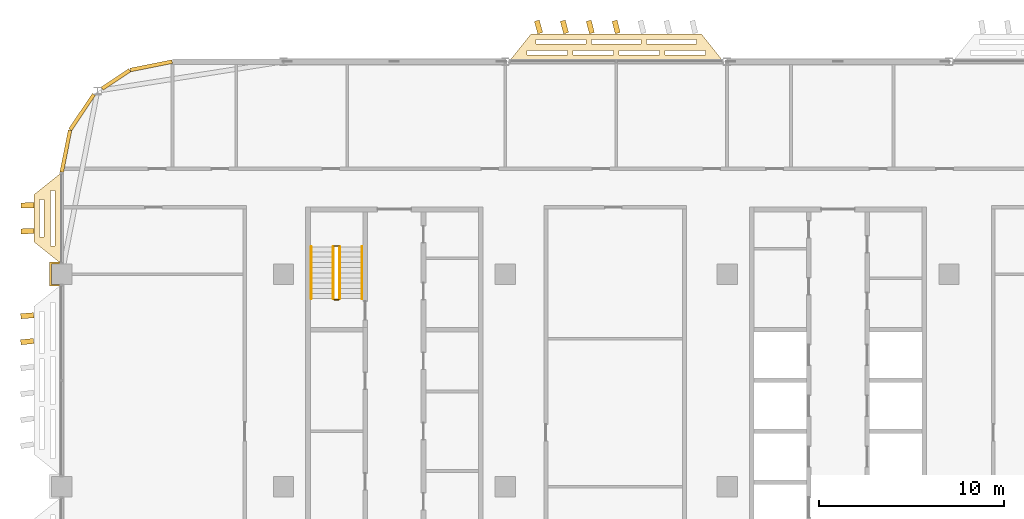
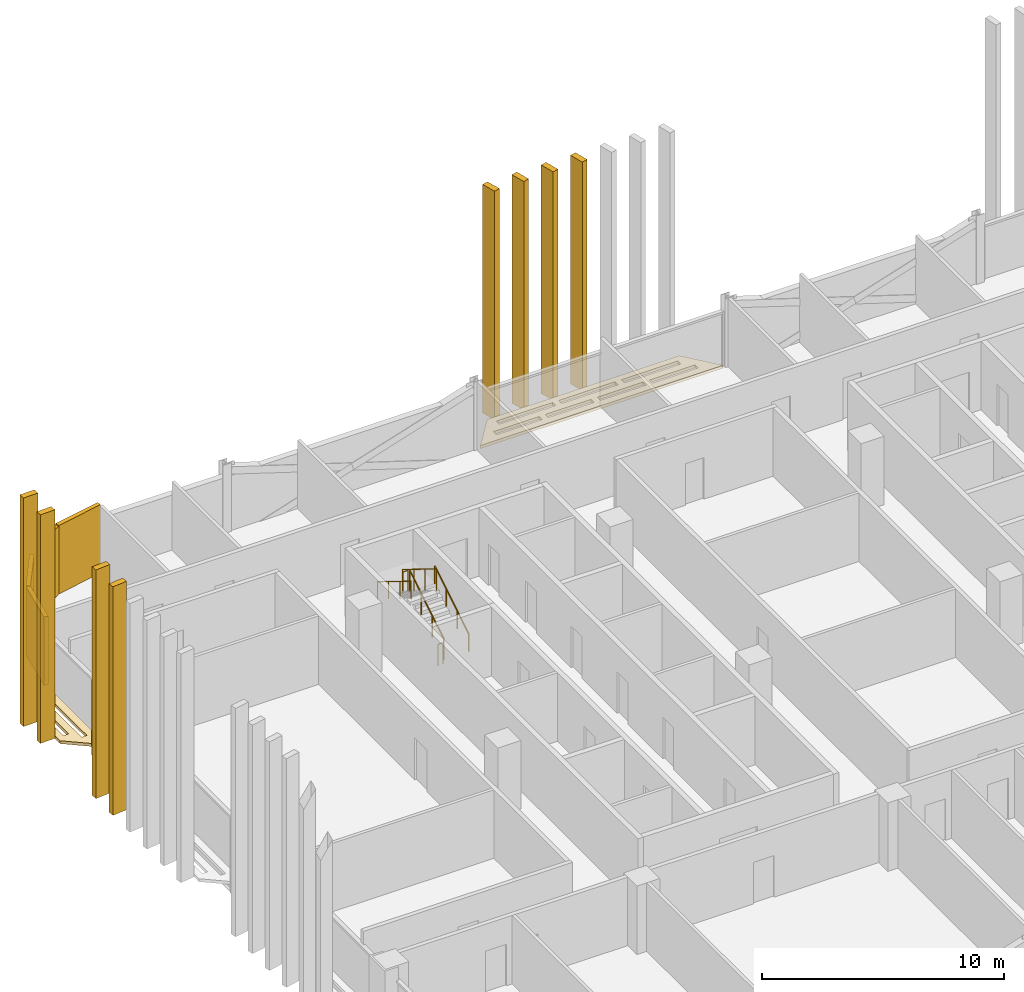
# One storey, part 27 of 30: 15 coverings, 6 railings.
"""IFC4 building model written with IfcOpenShell, lengths in metres."""

from ifc_helpers import new_model, si_unit, direction, frame, origin, origin_2d, place, context, subcontext, project, spatial, polyline, rectangle, circle, outline, extrude, material, layer, layer_set, type_object, element, save


model = new_model("IFC4")

# Units and contexts
model_context = context("Model", 3, precision=1e-05, world=origin(), true_north=direction((0.0, 1.0)))
body_context = subcontext(model_context, "Body", "Model", "MODEL_VIEW")
ifc_project = project(units=[si_unit("LENGTHUNIT", "METRE"), si_unit("AREAUNIT", "SQUARE_METRE"), si_unit("VOLUMEUNIT", "CUBIC_METRE"), si_unit("PLANEANGLEUNIT", "RADIAN"), si_unit("MASSUNIT", "GRAM", prefix="KILO")], contexts=[model_context])

# Site, building, storey
site_placement = place(None, origin())
site = spatial("IfcSite", under=ifc_project, at=site_placement, CompositionType="ELEMENT")
building_placement = place(site_placement, origin())
building = spatial("IfcBuilding", under=site, at=building_placement, Name="Mahtab Terrace Research Tower", CompositionType="ELEMENT")
storey_placement = place(building_placement, frame((0.0, 0.0, 209.10009765625)))
storey = spatial("IfcBuildingStorey", under=building, at=storey_placement, Name="L50", CompositionType="ELEMENT", Elevation=209.10009765625)

# Coverings
ifc_material_1 = material(Name="Black aluminium cladding panel", Category="aluminium")
ifc_layer_1 = layer(ifc_material_1, 0.199951171875)
ifc_layer_set_1 = layer_set([ifc_layer_1], Name="Black metal corner cladding 200")
covering_type_1 = type_object("IfcCoveringType", Name="Black metal corner cladding 200", PredefinedType="CLADDING", material=ifc_layer_set_1)
covering_1_placement = place(storey_placement, frame((-37.14794921875, 22.771484375, 0.0), z_axis=(0.0, 0.0, 1.0), x_axis=(-0.980760981187, -0.195212442692, 0.0)))
element("IfcCovering", 1, at=covering_1_placement, inside=storey, type_object=covering_type_1, Name="Corner cladding L50 11", PredefinedType="CLADDING", context=body_context, shape_type="SweptSolid", body=[
    extrude(rectangle(XDim=2.30126953125, YDim=0.199951171875, at=origin_2d()), origin(), (0.0, 0.0, 1.0), 3.4599609375),
])
covering_2_placement = place(storey_placement, frame((-39.059814453125, 22.032958984375, 0.0), z_axis=(0.0, 0.0, 1.0), x_axis=(-0.831655794326, -0.555291490808, 0.0)))
element("IfcCovering", 2, at=covering_2_placement, inside=storey, type_object=covering_type_1, Name="Corner cladding L50 12", PredefinedType="CLADDING", context=body_context, shape_type="SweptSolid", body=[
    extrude(rectangle(XDim=1.797119140625, YDim=0.199951171875, at=origin_2d()), origin(), (0.0, 0.0, 1.0), 3.4599609375),
])
for number, where, z_axis, x_axis, name in (
    (3, (-40.89306640625, 20.26953125, 0.0), (0.0, 0.0, 1.0), (-0.555291490808, -0.831655794326, 0.0), "Corner cladding L50 13"),
    (4, (-41.771484375, 18.14794921875, 0.0), (0.0, 0.0, 1.0), (-0.195212442692, -0.980760981187, 0.0), "Corner cladding L50 14"),
):
    element("IfcCovering", number, at=place(storey_placement, frame(where, z_axis=z_axis, x_axis=x_axis)), inside=storey, type_object=covering_type_1, Name=name, PredefinedType="CLADDING", context=body_context, shape_type="SweptSolid", body=[
        extrude(rectangle(XDim=2.30126953125, YDim=0.199951171875, at=origin_2d()), origin(), (0.0, 0.0, 1.0), 3.4599609375),
    ])
ifc_material_2 = material(Name="Dark anodised aluminium cladding", Category="aluminium")
ifc_layer_2 = layer(ifc_material_2, 0.10009765625)
ifc_layer_set_2 = layer_set([ifc_layer_2], Name="Column casing 100")
covering_type_2 = type_object("IfcCoveringType", Name="Column casing 100", PredefinedType="CLADDING", material=ifc_layer_set_2)
covering_3_placement = place(storey_placement, frame((0.0, 0.0, -0.340087890625)))
element("IfcCovering", 5, at=covering_3_placement, inside=storey, type_object=covering_type_2, Name="Column casing RC-1C L50", PredefinedType="CLADDING", context=body_context, shape_type="SweptSolid", body=[
    extrude(outline(polyline([(-42.64990234375, 12.14990234375), (-42.0, 12.14990234375), (-42.0, 12.050048828125), (-42.550048828125, 12.050048828125), (-42.550048828125, 10.949951171875), (-42.0, 10.949951171875), (-42.0, 10.85009765625), (-42.64990234375, 10.85009765625), (-42.64990234375, 12.14990234375)])), origin(), (0.0, 0.0, 1.0), 3.800048828125),
])
ifc_material_3 = material(Name="Black anodised aluminium", Category="aluminium")
ifc_layer_3 = layer(ifc_material_3, 0.14990234375)
ifc_layer_set_3 = layer_set([ifc_layer_3], Name="Horizontal sunshade band")
covering_type_3 = type_object("IfcCoveringType", Name="Horizontal sunshade band", PredefinedType="CLADDING", material=ifc_layer_set_3)
covering_4_placement = place(storey_placement, frame((0.0, 0.0, -0.150146484375)))
element("IfcCovering", 6, at=covering_4_placement, inside=storey, type_object=covering_type_3, Name="Sunshade band L50 8", PredefinedType="CLADDING", context=body_context, shape_type="SweptSolid", body=[
    extrude(outline(polyline([(-6.199951171875, 23.0), (-17.800048828125, 23.0), (-16.60009765625, 24.5), (-7.39990234375, 24.5), (-6.199951171875, 23.0)]), holes=[polyline([(-7.179931640625, 23.35009765625), (-9.364990234375, 23.35009765625), (-9.364990234375, 23.60009765625), (-7.179931640625, 23.60009765625), (-7.179931640625, 23.35009765625)]), polyline([(-9.6650390625, 23.35009765625), (-11.85009765625, 23.35009765625), (-11.85009765625, 23.60009765625), (-9.6650390625, 23.60009765625), (-9.6650390625, 23.35009765625)]), polyline([(-12.14990234375, 23.35009765625), (-14.3349609375, 23.35009765625), (-14.3349609375, 23.60009765625), (-12.14990234375, 23.60009765625), (-12.14990234375, 23.35009765625)]), polyline([(-14.635009765625, 23.35009765625), (-16.820068359375, 23.35009765625), (-16.820068359375, 23.60009765625), (-14.635009765625, 23.60009765625), (-14.635009765625, 23.35009765625)]), polyline([(-7.659912109375, 23.949951171875), (-10.35302734375, 23.949951171875), (-10.35302734375, 24.199951171875), (-7.659912109375, 24.199951171875), (-7.659912109375, 23.949951171875)]), polyline([(-10.653076171875, 23.949951171875), (-13.346923828125, 23.949951171875), (-13.346923828125, 24.199951171875), (-10.653076171875, 24.199951171875), (-10.653076171875, 23.949951171875)]), polyline([(-13.64697265625, 23.949951171875), (-16.340087890625, 23.949951171875), (-16.340087890625, 24.199951171875), (-13.64697265625, 24.199951171875), (-13.64697265625, 23.949951171875)])]), origin(), (0.0, 0.0, 1.0), 0.150146484375),
])
covering_5_placement = place(storey_placement, frame((0.0, 0.0, -0.150146484375)))
element("IfcCovering", 7, at=covering_5_placement, inside=storey, type_object=covering_type_3, Name="Sunshade band L50 15", PredefinedType="CLADDING", context=body_context, shape_type="SweptSolid", body=[
    extrude(outline(polyline([(-42.0, 17.0), (-42.0, 12.050048828125), (-43.5, 13.25), (-43.5, 15.800048828125), (-42.0, 17.0)]), holes=[polyline([(-42.35009765625, 16.02001953125), (-42.35009765625, 13.030029296875), (-42.60009765625, 13.030029296875), (-42.60009765625, 16.02001953125), (-42.35009765625, 16.02001953125)]), polyline([(-42.949951171875, 15.5400390625), (-42.949951171875, 13.510009765625), (-43.199951171875, 13.510009765625), (-43.199951171875, 15.5400390625), (-42.949951171875, 15.5400390625)])]), origin(), (0.0, 0.0, 1.0), 0.150146484375),
])

# Railings
ifc_material_4 = material(Name="Stainless steel AISI 304", Category="steel")
railing_type_1 = type_object("IfcRailingType", Name="Stair guard 1100", PredefinedType="GUARDRAIL", material=ifc_material_4)
railing_1_placement = place(storey_placement, frame((-26.949951171875, 10.175048828125, 0.172607421875)))
element("IfcRailing", 8, at=railing_1_placement, inside=storey, type_object=railing_type_1, Name="L50 ST1 stair guard 1", PredefinedType="GUARDRAIL", context=body_context, shape_type="SweptSolid", body=[
    extrude(circle(Radius=0.02392578125, at=origin_2d()), frame((0.0, 0.0, 1.076171875), z_axis=(0.0, 0.851089632645, 0.525020415988), x_axis=(-1.0, 0.0, 0.0)), (0.0, 0.0, 1.0), 3.2900390625),
    extrude(circle(Radius=0.02099609375, at=origin_2d()), origin(), (0.0, 0.0, 1.0), 1.052001953125),
    extrude(circle(Radius=0.02099609375, at=origin_2d()), frame((0.0, 0.933349609375, 0.57568359375)), (0.0, 0.0, 1.0), 1.052001953125),
    extrude(circle(Radius=0.02099609375, at=origin_2d()), frame((0.0, 1.86669921875, 1.151611328125)), (0.0, 0.0, 1.0), 1.052001953125),
    extrude(circle(Radius=0.02099609375, at=origin_2d()), frame((0.0, 2.800048828125, 1.727294921875)), (0.0, 0.0, 1.0), 1.052001953125),
])
railing_2_placement = place(storey_placement, frame((-27.0, 13.02490234375, 1.89990234375)))
element("IfcRailing", 9, at=railing_2_placement, inside=storey, type_object=railing_type_1, Name="L50 ST1 stair guard 2", PredefinedType="GUARDRAIL", context=body_context, shape_type="SweptSolid", body=[
    extrude(circle(Radius=0.02392578125, at=origin_2d()), frame((0.0, 0.0, 1.076171875), z_axis=(-1.0, 0.0, 0.0), x_axis=(0.0, -1.0, 0.0)), (0.0, 0.0, 1.0), 0.25),
    extrude(circle(Radius=0.02099609375, at=origin_2d()), origin(), (0.0, 0.0, 1.0), 1.052001953125),
    extrude(circle(Radius=0.02099609375, at=origin_2d()), frame((-0.25, 0.0, 0.0)), (0.0, 0.0, 1.0), 1.052001953125),
])
railing_3_placement = place(storey_placement, frame((-27.300048828125, 12.97509765625, 2.072509765625)))
element("IfcRailing", 10, at=railing_3_placement, inside=storey, type_object=railing_type_1, Name="L50 ST1 stair guard 3", PredefinedType="GUARDRAIL", context=body_context, shape_type="SweptSolid", body=[
    extrude(circle(Radius=0.02392578125, at=origin_2d()), frame((0.0, 0.0, 1.076171875), z_axis=(0.0, -0.851089632645, 0.525020415988), x_axis=(1.0, 0.0, 0.0)), (0.0, 0.0, 1.0), 3.2900390625),
    extrude(circle(Radius=0.02099609375, at=origin_2d()), origin(), (0.0, 0.0, 1.0), 1.052001953125),
    extrude(circle(Radius=0.02099609375, at=origin_2d()), frame((0.0, -0.933349609375, 0.57568359375)), (0.0, 0.0, 1.0), 1.052001953125),
    extrude(circle(Radius=0.02099609375, at=origin_2d()), frame((0.0, -1.86669921875, 1.151611328125)), (0.0, 0.0, 1.0), 1.052001953125),
    extrude(circle(Radius=0.02099609375, at=origin_2d()), frame((0.0, -2.800048828125, 1.727294921875)), (0.0, 0.0, 1.0), 1.052001953125),
])
railing_4_placement = place(storey_placement, frame((-27.0, 10.125, 0.0)))
element("IfcRailing", 11, at=railing_4_placement, inside=storey, type_object=railing_type_1, Name="L50 ST1 stair guard 4", PredefinedType="GUARDRAIL", context=body_context, shape_type="SweptSolid", body=[
    extrude(circle(Radius=0.02392578125, at=origin_2d()), frame((0.0, 0.0, 1.076171875), z_axis=(-1.0, 0.0, 0.0), x_axis=(0.0, -1.0, 0.0)), (0.0, 0.0, 1.0), 0.25),
    extrude(circle(Radius=0.02099609375, at=origin_2d()), origin(), (0.0, 0.0, 1.0), 1.052001953125),
    extrude(circle(Radius=0.02099609375, at=origin_2d()), frame((-0.25, 0.0, 0.0)), (0.0, 0.0, 1.0), 1.052001953125),
])
railing_type_2 = type_object("IfcRailingType", Name="Stair handrail 900", PredefinedType="HANDRAIL", material=ifc_material_4)
railing_5_placement = place(storey_placement, frame((-25.75, 10.175048828125, 0.172607421875)))
element("IfcRailing", 12, at=railing_5_placement, inside=storey, type_object=railing_type_2, Name="L50 ST1 stair handrail 1", PredefinedType="HANDRAIL", context=body_context, shape_type="SweptSolid", body=[
    extrude(circle(Radius=0.02392578125, at=origin_2d()), frame((0.0, 0.0, 0.8759765625), z_axis=(0.0, 0.851089632645, 0.525020415988), x_axis=(-1.0, 0.0, 0.0)), (0.0, 0.0, 1.0), 3.2900390625),
    extrude(circle(Radius=0.02099609375, at=origin_2d()), origin(), (0.0, 0.0, 1.0), 0.851806640625),
    extrude(circle(Radius=0.02099609375, at=origin_2d()), frame((0.0, 0.933349609375, 0.57568359375)), (0.0, 0.0, 1.0), 0.851806640625),
    extrude(circle(Radius=0.02099609375, at=origin_2d()), frame((0.0, 1.86669921875, 1.151611328125)), (0.0, 0.0, 1.0), 0.851806640625),
    extrude(circle(Radius=0.02099609375, at=origin_2d()), frame((0.0, 2.800048828125, 1.727294921875)), (0.0, 0.0, 1.0), 0.851806640625),
])
railing_6_placement = place(storey_placement, frame((-28.5, 12.97509765625, 2.072509765625)))
element("IfcRailing", 13, at=railing_6_placement, inside=storey, type_object=railing_type_2, Name="L50 ST1 stair handrail 2", PredefinedType="HANDRAIL", context=body_context, shape_type="SweptSolid", body=[
    extrude(circle(Radius=0.02392578125, at=origin_2d()), frame((0.0, 0.0, 0.8759765625), z_axis=(0.0, -0.851089632645, 0.525020415988), x_axis=(1.0, 0.0, 0.0)), (0.0, 0.0, 1.0), 3.2900390625),
    extrude(circle(Radius=0.02099609375, at=origin_2d()), origin(), (0.0, 0.0, 1.0), 0.851806640625),
    extrude(circle(Radius=0.02099609375, at=origin_2d()), frame((0.0, -0.933349609375, 0.57568359375)), (0.0, 0.0, 1.0), 0.851806640625),
    extrude(circle(Radius=0.02099609375, at=origin_2d()), frame((0.0, -1.86669921875, 1.151611328125)), (0.0, 0.0, 1.0), 0.851806640625),
    extrude(circle(Radius=0.02099609375, at=origin_2d()), frame((0.0, -2.800048828125, 1.727294921875)), (0.0, 0.0, 1.0), 0.851806640625),
])

# Coverings
ifc_material_5 = material(Name="Bronze anodised aluminium", Category="aluminium")
ifc_layer_4 = layer(ifc_material_5, 0.1201171875)
ifc_layer_set_4 = layer_set([ifc_layer_4], Name="Vertical fin 700")
covering_type_4 = type_object("IfcCoveringType", Name="Vertical fin 700", PredefinedType="CLADDING", material=ifc_layer_set_4)
for number, where, z_axis, x_axis, name in (
    (14, (-12.0, 24.873779296875, -0.14990234375), (0.0, 0.0, 1.0), (-0.969077286228, -0.246757397695, 0.0), "Fin L50 N4"),
    (15, (-13.39990234375, 24.8740234375, -0.14990234375), (0.0, 0.0, 1.0), (-0.967625318147, -0.252391053092, 0.0), "Fin L50 N5"),
    (16, (-14.800048828125, 24.874267578125, -0.14990234375), (0.0, 0.0, 1.0), (-0.966140599544, -0.25801616599, 0.0), "Fin L50 N6"),
    (17, (-16.199951171875, 24.87451171875, -0.14990234375), (0.0, 0.0, 1.0), (-0.964623180667, -0.263632546017, 0.0), "Fin L50 N7"),
    (18, (-43.8525390625, 15.22509765625, -0.14990234375), (0.0, 0.0, 1.0), (0.018222282111, -0.999833960433, 0.0), "Fin L50 W1"),
    (19, (-43.8544921875, 13.824951171875, -0.14990234375), (0.0, 0.0, 1.0), (0.032590818234, -0.999468778185, 0.0), "Fin L50 W2"),
    (20, (-43.860107421875, 9.25, -0.14990234375), (0.0, 0.0, 1.0), (0.079482553594, -0.996836257203, 0.0), "Fin L50 W1"),
    (21, (-43.861572265625, 7.85009765625, -0.14990234375), (0.0, 0.0, 1.0), (0.093801676489, -0.995590902674, 0.0), "Fin L50 W2"),
):
    element("IfcCovering", number, at=place(storey_placement, frame(where, z_axis=z_axis, x_axis=x_axis)), inside=storey, type_object=covering_type_4, Name=name, PredefinedType="CLADDING", context=body_context, shape_type="SweptSolid", body=[
        extrude(rectangle(XDim=0.280029296875, YDim=0.699951171875, at=origin_2d()), origin(), (0.0, 0.0, 1.0), 11.550048828125),
    ])

save(model, "model.ifc")
